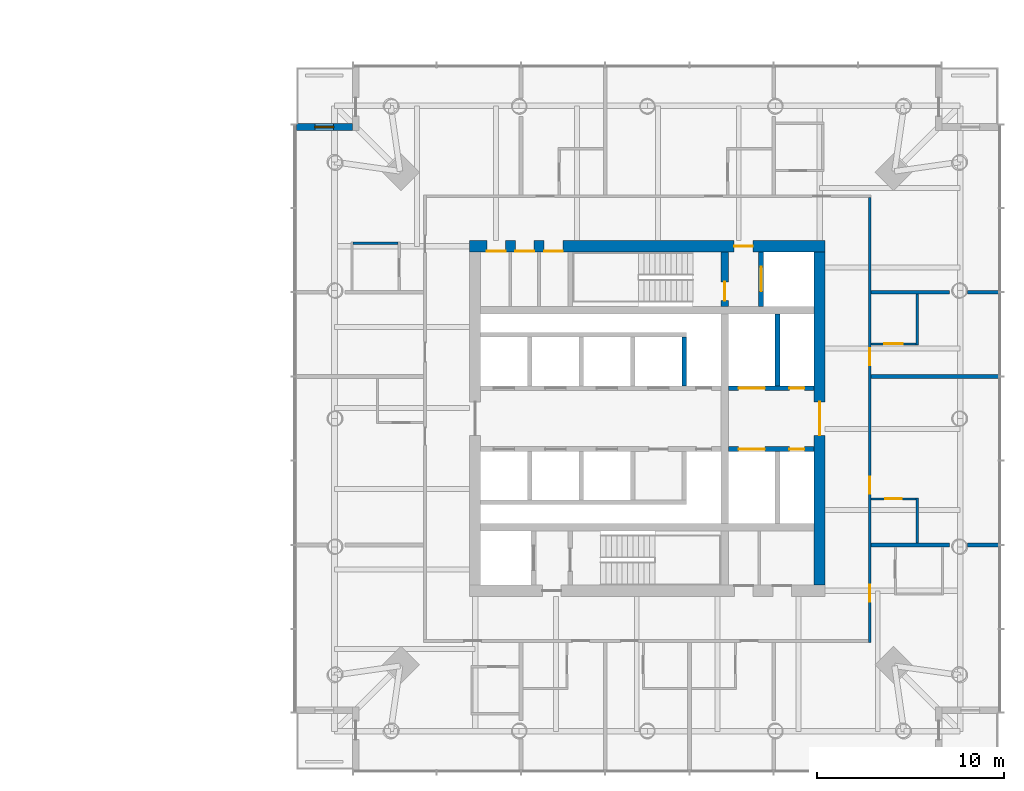
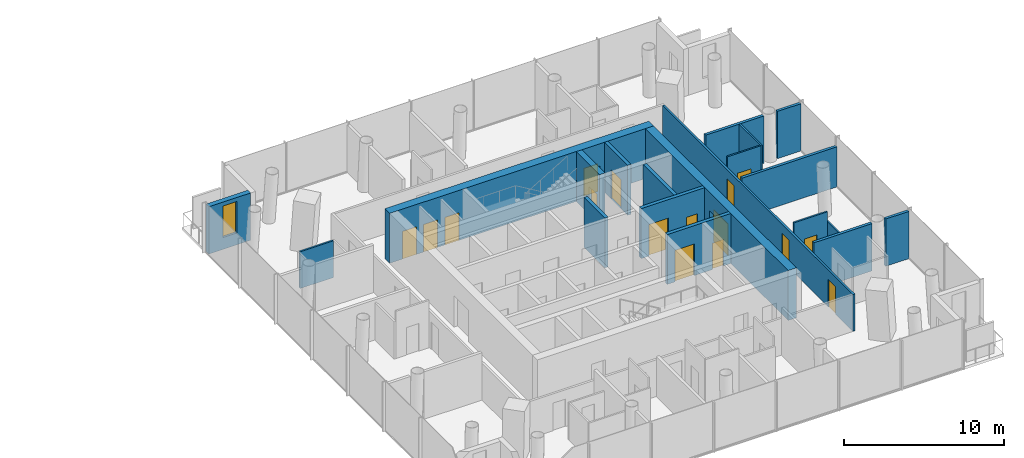
# One storey, part 14 of 18: 20 walls, 16 doors, 1 window, 17 openings.
"""IFC4 building model written with IfcOpenShell, lengths in metres."""

from ifc_helpers import new_model, si_unit, direction, frame, frame_2d, origin, place, context, subcontext, project, spatial, rectangle, extrude, material, layer, layer_set, type_object, element, fill, save


model = new_model("IFC4")

# Units and contexts
model_context = context("Model", 3, precision=1e-05, world=origin(), true_north=direction((0.0, 1.0)))
body_context = subcontext(model_context, "Body", "Model", "MODEL_VIEW")
ifc_project = project(units=[si_unit("LENGTHUNIT", "METRE"), si_unit("AREAUNIT", "SQUARE_METRE"), si_unit("VOLUMEUNIT", "CUBIC_METRE"), si_unit("PLANEANGLEUNIT", "RADIAN"), si_unit("MASSUNIT", "GRAM", prefix="KILO")], contexts=[model_context])

# Site, building, storey
site_placement = place(None, origin())
site = spatial("IfcSite", under=ifc_project, at=site_placement, CompositionType="ELEMENT")
building_placement = place(site_placement, origin())
building = spatial("IfcBuilding", under=site, at=building_placement, Name="Ostroluk Exchange", CompositionType="ELEMENT")
storey_placement = place(building_placement, frame((0.0, 0.0, 74.199951171875)))
storey = spatial("IfcBuildingStorey", under=building, at=storey_placement, Name="L18", CompositionType="ELEMENT", Elevation=74.199951171875)

# Wall, opening, door
ifc_material_1 = material(Name="Concrete C50/60", Category="concrete")
ifc_layer_1 = layer(ifc_material_1, 0.39990234375)
ifc_layer_set_1 = layer_set([ifc_layer_1], Name="Core cross wall 400 C50/60")
wall_type_1 = type_object("IfcWallType", Name="Core cross wall 400 C50/60", PredefinedType="SHEAR", material=ifc_layer_set_1)
wall_1_placement = place(storey_placement, frame((121.1298828125, 52.0, 0.0), z_axis=(0.0, 0.0, 1.0), x_axis=(0.0, 1.0, 0.0)))
wall_1 = element("IfcWall", 1, at=wall_1_placement, inside=storey, type_object=wall_type_1, Name="T2 core wall YE3", PredefinedType="SHEAR", context=body_context, shape_type="SweptSolid", body=[
    extrude(rectangle(XDim=2.89990234375, YDim=0.39990234375, at=frame_2d((1.449951171875, 0.0))), origin(), (0.0, 0.0, 1.0), 3.800048828125),
])
opening_1_placement = place(wall_1_placement, frame((0.300048828125, 0.0, 0.0)))
opening_1 = element("IfcOpeningElement", 2, at=opening_1_placement, cuts=wall_1, Name="Opening FD60", PredefinedType="OPENING", context=body_context, shape_type="SweptSolid", body=[
    extrude(rectangle(XDim=1.0, YDim=2.10009765625, at=frame_2d((0.5, 1.050048828125))), frame((0.0, 0.2099609375, 0.0), z_axis=(0.0, -1.0, 0.0), x_axis=(1.0, 0.0, 0.0)), (0.0, 0.0, 1.0), 0.419921875),
])
ifc_material_2 = material(Name="Steel", Category="steel")
door_type_1 = type_object("IfcDoorType", Name="Fire door EI 60 1000 x 2100", OperationType="SINGLE_SWING_LEFT", PredefinedType="DOOR", material=ifc_material_2)
door_1_placement = place(opening_1_placement, origin())
door_1 = element("IfcDoor", 3, at=door_1_placement, inside=storey, type_object=door_type_1, Name="Stair T2-S2 door", OperationType="SINGLE_SWING_LEFT", OverallHeight=2.10009765625, OverallWidth=1.0, PredefinedType="DOOR", context=body_context, shape_type="SweptSolid", body=[
    extrude(rectangle(XDim=1.0, YDim=2.10009765625, at=frame_2d((0.5, 1.050048828125))), frame((0.0, 0.02490234375, 0.0), z_axis=(0.0, -1.0, 0.0), x_axis=(1.0, 0.0, 0.0)), (0.0, 0.0, 1.0), 0.050048828125),
])
fill(opening_1, door_1)

ifc_material_3 = material(Name="Concrete C40/50", Category="concrete")
ifc_layer_2 = layer(ifc_material_3, 0.25)
ifc_layer_set_2 = layer_set([ifc_layer_2], Name="Core shaft wall 250")
wall_type_2 = type_object("IfcWallType", Name="Core shaft wall 250", PredefinedType="SHEAR", material=ifc_layer_set_2)
wall_2_placement = place(storey_placement, frame((123.074951171875, 52.0, 0.0), z_axis=(0.0, 0.0, 1.0), x_axis=(0.0, 1.0, 0.0)))
wall_2 = element("IfcWall", 4, at=wall_2_placement, inside=storey, type_object=wall_type_2, Name="Firefighting lift shaft wall", PredefinedType="SHEAR", context=body_context, shape_type="SweptSolid", body=[
    extrude(rectangle(XDim=2.89990234375, YDim=0.25, at=frame_2d((1.449951171875, 0.0))), origin(), (0.0, 0.0, 1.0), 3.800048828125),
])
opening_2_placement = place(wall_2_placement, frame((0.800048828125, 0.0, 0.0)))
opening_2 = element("IfcOpeningElement", 5, at=opening_2_placement, cuts=wall_2, Name="Opening LD2", PredefinedType="OPENING", context=body_context, shape_type="SweptSolid", body=[
    extrude(rectangle(XDim=1.300048828125, YDim=2.199951171875, at=frame_2d((0.64990234375, 1.10009765625))), frame((0.0, 0.135009765625, 0.0), z_axis=(0.0, -1.0, 0.0), x_axis=(1.0, 0.0, 0.0)), (0.0, 0.0, 1.0), 0.27001953125),
])
ifc_material_4 = material(Name="Stainless steel", Category="steel")
door_type_2 = type_object("IfcDoorType", Name="Lift landing door E 60 1300 x 2200", OperationType="DOUBLE_DOOR_SLIDING", PredefinedType="DOOR", material=ifc_material_4)
door_2_placement = place(opening_2_placement, origin())
door_2 = element("IfcDoor", 6, at=door_2_placement, inside=storey, type_object=door_type_2, Name="Lift HF2 landing door", OperationType="DOUBLE_DOOR_SLIDING", OverallHeight=2.199951171875, OverallWidth=1.300048828125, PredefinedType="DOOR", context=body_context, shape_type="SweptSolid", body=[
    extrude(rectangle(XDim=1.300048828125, YDim=2.199951171875, at=frame_2d((0.64990234375, 1.10009765625))), frame((0.0, 0.02490234375, 0.0), z_axis=(0.0, -1.0, 0.0), x_axis=(1.0, 0.0, 0.0)), (0.0, 0.0, 1.0), 0.050048828125),
])
fill(opening_2, door_2)

# Walls
wall_3_placement = place(storey_placement, frame((118.97509765625, 47.75, 0.0), z_axis=(0.0, 0.0, 1.0), x_axis=(0.0, 1.0, 0.0)))
element("IfcWall", 7, at=wall_3_placement, inside=storey, type_object=wall_type_2, Name="Lift shaft wall", PredefinedType="SHEAR", context=body_context, shape_type="SweptSolid", body=[
    extrude(rectangle(XDim=2.60009765625, YDim=0.25, at=frame_2d((1.300048828125, 0.0))), origin(), (0.0, 0.0, 1.0), 3.800048828125),
])
wall_4_placement = place(storey_placement, frame((123.955078125, 47.75, 0.0), z_axis=(0.0, 0.0, 1.0), x_axis=(0.0, 1.0, 0.0)))
element("IfcWall", 8, at=wall_4_placement, inside=storey, type_object=wall_type_2, Name="Lift shaft wall", PredefinedType="SHEAR", context=body_context, shape_type="SweptSolid", body=[
    extrude(rectangle(XDim=3.85009765625, YDim=0.25, at=frame_2d((1.925048828125, 0.0))), origin(), (0.0, 0.0, 1.0), 3.800048828125),
])

# Wall, openings, doors
wall_5_placement = place(storey_placement, frame((121.330078125, 47.625, 0.0), z_axis=(0.0, 0.0, 1.0), x_axis=(1.0, 0.0, 0.0)))
wall_5 = element("IfcWall", 9, at=wall_5_placement, inside=storey, type_object=wall_type_2, Name="Lift shaft front wall", PredefinedType="SHEAR", context=body_context, shape_type="SweptSolid", body=[
    extrude(rectangle(XDim=4.56982421875, YDim=0.25, at=frame_2d((2.284912109375, 0.0))), origin(), (0.0, 0.0, 1.0), 3.800048828125),
])
opening_3_placement = place(wall_5_placement, frame((0.550048828125, 0.0, 0.0)))
opening_3 = element("IfcOpeningElement", 10, at=opening_3_placement, cuts=wall_5, Name="Opening LD3", PredefinedType="OPENING", context=body_context, shape_type="SweptSolid", body=[
    extrude(rectangle(XDim=1.39990234375, YDim=2.39990234375, at=frame_2d((0.699951171875, 1.199951171875))), frame((0.0, 0.135009765625, 0.0), z_axis=(0.0, -1.0, 0.0), x_axis=(1.0, 0.0, 0.0)), (0.0, 0.0, 1.0), 0.27001953125),
])
opening_4_placement = place(wall_5_placement, frame((3.260009765625, 0.0, 0.0)))
opening_4 = element("IfcOpeningElement", 11, at=opening_4_placement, cuts=wall_5, Name="Opening RD60", PredefinedType="OPENING", context=body_context, shape_type="SweptSolid", body=[
    extrude(rectangle(XDim=0.800048828125, YDim=2.0, at=frame_2d((0.39990234375, 1.0))), frame((0.0, 0.135009765625, 0.0), z_axis=(0.0, -1.0, 0.0), x_axis=(1.0, 0.0, 0.0)), (0.0, 0.0, 1.0), 0.27001953125),
])
ifc_material_5 = material(Name="Stainless steel", Category="steel")
door_type_3 = type_object("IfcDoorType", Name="Goods lift landing door E 60 1400 x 2400", OperationType="DOUBLE_DOOR_SLIDING", PredefinedType="DOOR", material=ifc_material_5)
door_3_placement = place(opening_3_placement, origin())
door_3 = element("IfcDoor", 12, at=door_3_placement, inside=storey, type_object=door_type_3, Name="Lift HS1 landing door", OperationType="DOUBLE_DOOR_SLIDING", OverallHeight=2.39990234375, OverallWidth=1.39990234375, PredefinedType="DOOR", context=body_context, shape_type="SweptSolid", body=[
    extrude(rectangle(XDim=1.39990234375, YDim=2.39990234375, at=frame_2d((0.699951171875, 1.199951171875))), frame((0.0, 0.02490234375, 0.0), z_axis=(0.0, -1.0, 0.0), x_axis=(1.0, 0.0, 0.0)), (0.0, 0.0, 1.0), 0.050048828125),
])
fill(opening_3, door_3)
ifc_material_6 = material(Name="Steel", Category="steel")
door_type_4 = type_object("IfcDoorType", Name="Riser access door EI 60 800 x 2000", OperationType="SINGLE_SWING_LEFT", PredefinedType="DOOR", material=ifc_material_6)
door_4_placement = place(opening_4_placement, origin())
door_4 = element("IfcDoor", 13, at=door_4_placement, inside=storey, type_object=door_type_4, Name="Riser access door", OperationType="SINGLE_SWING_RIGHT", OverallHeight=2.0, OverallWidth=0.800048828125, PredefinedType="DOOR", context=body_context, shape_type="SweptSolid", body=[
    extrude(rectangle(XDim=0.800048828125, YDim=2.0, at=frame_2d((0.39990234375, 1.0))), frame((0.0, 0.02490234375, 0.0), z_axis=(0.0, -1.0, 0.0), x_axis=(1.0, 0.0, 0.0)), (0.0, 0.0, 1.0), 0.050048828125),
])
fill(opening_4, door_4)

wall_6_placement = place(storey_placement, frame((121.330078125, 44.375, 0.0), z_axis=(0.0, 0.0, 1.0), x_axis=(1.0, 0.0, 0.0)))
wall_6 = element("IfcWall", 14, at=wall_6_placement, inside=storey, type_object=wall_type_2, Name="Lift shaft front wall", PredefinedType="SHEAR", context=body_context, shape_type="SweptSolid", body=[
    extrude(rectangle(XDim=4.56982421875, YDim=0.25, at=frame_2d((2.284912109375, 0.0))), origin(), (0.0, 0.0, 1.0), 3.800048828125),
])
opening_5_placement = place(wall_6_placement, frame((0.550048828125, 0.0, 0.0)))
opening_5 = element("IfcOpeningElement", 15, at=opening_5_placement, cuts=wall_6, Name="Opening LD3", PredefinedType="OPENING", context=body_context, shape_type="SweptSolid", body=[
    extrude(rectangle(XDim=1.39990234375, YDim=2.39990234375, at=frame_2d((0.699951171875, 1.199951171875))), frame((0.0, 0.135009765625, 0.0), z_axis=(0.0, -1.0, 0.0), x_axis=(1.0, 0.0, 0.0)), (0.0, 0.0, 1.0), 0.27001953125),
])
opening_6_placement = place(wall_6_placement, frame((3.260009765625, 0.0, 0.0)))
opening_6 = element("IfcOpeningElement", 16, at=opening_6_placement, cuts=wall_6, Name="Opening RD60", PredefinedType="OPENING", context=body_context, shape_type="SweptSolid", body=[
    extrude(rectangle(XDim=0.800048828125, YDim=2.0, at=frame_2d((0.39990234375, 1.0))), frame((0.0, 0.135009765625, 0.0), z_axis=(0.0, -1.0, 0.0), x_axis=(1.0, 0.0, 0.0)), (0.0, 0.0, 1.0), 0.27001953125),
])
door_5_placement = place(opening_5_placement, origin())
door_5 = element("IfcDoor", 17, at=door_5_placement, inside=storey, type_object=door_type_3, Name="Lift HS2 landing door", OperationType="DOUBLE_DOOR_SLIDING", OverallHeight=2.39990234375, OverallWidth=1.39990234375, PredefinedType="DOOR", context=body_context, shape_type="SweptSolid", body=[
    extrude(rectangle(XDim=1.39990234375, YDim=2.39990234375, at=frame_2d((0.699951171875, 1.199951171875))), frame((0.0, 0.02490234375, 0.0), z_axis=(0.0, -1.0, 0.0), x_axis=(1.0, 0.0, 0.0)), (0.0, 0.0, 1.0), 0.050048828125),
])
fill(opening_5, door_5)
door_6_placement = place(opening_6_placement, origin())
door_6 = element("IfcDoor", 18, at=door_6_placement, inside=storey, type_object=door_type_4, Name="Riser access door", OperationType="SINGLE_SWING_RIGHT", OverallHeight=2.0, OverallWidth=0.800048828125, PredefinedType="DOOR", context=body_context, shape_type="SweptSolid", body=[
    extrude(rectangle(XDim=0.800048828125, YDim=2.0, at=frame_2d((0.39990234375, 1.0))), frame((0.0, 0.02490234375, 0.0), z_axis=(0.0, -1.0, 0.0), x_axis=(1.0, 0.0, 0.0)), (0.0, 0.0, 1.0), 0.050048828125),
])
fill(opening_6, door_6)

ifc_material_7 = material(Name="Concrete C50/60", Category="concrete")
ifc_layer_3 = layer(ifc_material_7, 0.60009765625)
ifc_layer_set_3 = layer_set([ifc_layer_3], Name="Core wall 600 C50/60")
wall_type_3 = type_object("IfcWallType", Name="Core wall 600 C50/60", PredefinedType="SHEAR", material=ifc_layer_set_3)
wall_7_placement = place(storey_placement, frame((107.5, 55.199951171875, 0.0), z_axis=(0.0, 0.0, 1.0), x_axis=(1.0, 0.0, 0.0)))
wall_7 = element("IfcWall", 19, at=wall_7_placement, inside=storey, type_object=wall_type_3, Name="T2 core wall N", PredefinedType="SHEAR", context=body_context, shape_type="SweptSolid", body=[
    extrude(rectangle(XDim=19.0, YDim=0.60009765625, at=frame_2d((9.5, 0.0))), origin(), (0.0, 0.0, 1.0), 3.800048828125),
])
opening_7_placement = place(wall_7_placement, frame((14.139892578125, 0.0, 0.0)))
opening_7 = element("IfcOpeningElement", 20, at=opening_7_placement, cuts=wall_7, Name="Opening FD60", PredefinedType="OPENING", context=body_context, shape_type="SweptSolid", body=[
    extrude(rectangle(XDim=1.0, YDim=2.10009765625, at=frame_2d((0.5, 1.050048828125))), frame((0.0, 0.31005859375, 0.0), z_axis=(0.0, -1.0, 0.0), x_axis=(1.0, 0.0, 0.0)), (0.0, 0.0, 1.0), 0.6201171875),
])
opening_8_placement = place(wall_7_placement, frame((0.930908203125, 0.0, 0.0)))
opening_8 = element("IfcOpeningElement", 21, at=opening_8_placement, cuts=wall_7, Name="Opening FD60", PredefinedType="OPENING", context=body_context, shape_type="SweptSolid", body=[
    extrude(rectangle(XDim=1.0, YDim=2.10009765625, at=frame_2d((0.5, 1.050048828125))), frame((0.0, 0.31005859375, 0.0), z_axis=(0.0, -1.0, 0.0), x_axis=(1.0, 0.0, 0.0)), (0.0, 0.0, 1.0), 0.6201171875),
])
opening_9_placement = place(wall_7_placement, frame((2.4482421875, 0.0, 0.0)))
opening_9 = element("IfcOpeningElement", 22, at=opening_9_placement, cuts=wall_7, Name="Opening FD60", PredefinedType="OPENING", context=body_context, shape_type="SweptSolid", body=[
    extrude(rectangle(XDim=1.0, YDim=2.10009765625, at=frame_2d((0.5, 1.050048828125))), frame((0.0, 0.31005859375, 0.0), z_axis=(0.0, -1.0, 0.0), x_axis=(1.0, 0.0, 0.0)), (0.0, 0.0, 1.0), 0.6201171875),
])
opening_10_placement = place(wall_7_placement, frame((3.982666015625, 0.0, 0.0)))
opening_10 = element("IfcOpeningElement", 23, at=opening_10_placement, cuts=wall_7, Name="Opening FD60", PredefinedType="OPENING", context=body_context, shape_type="SweptSolid", body=[
    extrude(rectangle(XDim=1.0, YDim=2.10009765625, at=frame_2d((0.5, 1.050048828125))), frame((0.0, 0.31005859375, 0.0), z_axis=(0.0, -1.0, 0.0), x_axis=(1.0, 0.0, 0.0)), (0.0, 0.0, 1.0), 0.6201171875),
])
door_7_placement = place(opening_7_placement, origin())
door_7 = element("IfcDoor", 24, at=door_7_placement, inside=storey, type_object=door_type_1, Name="Firefighting lobby door", OperationType="SINGLE_SWING_RIGHT", OverallHeight=2.10009765625, OverallWidth=1.0, PredefinedType="DOOR", context=body_context, shape_type="SweptSolid", body=[
    extrude(rectangle(XDim=1.0, YDim=2.10009765625, at=frame_2d((0.5, 1.050048828125))), frame((0.0, 0.02490234375, 0.0), z_axis=(0.0, -1.0, 0.0), x_axis=(1.0, 0.0, 0.0)), (0.0, 0.0, 1.0), 0.050048828125),
])
fill(opening_7, door_7)
door_8_placement = place(opening_8_placement, origin())
door_8 = element("IfcDoor", 25, at=door_8_placement, inside=storey, type_object=door_type_1, Name="Linen store door", OperationType="SINGLE_SWING_LEFT", OverallHeight=2.10009765625, OverallWidth=1.0, PredefinedType="DOOR", context=body_context, shape_type="SweptSolid", body=[
    extrude(rectangle(XDim=1.0, YDim=2.10009765625, at=frame_2d((0.5, 1.050048828125))), frame((0.0, -0.23974609375, 0.0), z_axis=(0.0, -1.0, 0.0), x_axis=(1.0, 0.0, 0.0)), (0.0, 0.0, 1.0), 0.050048828125),
])
fill(opening_8, door_8)
door_9_placement = place(opening_9_placement, origin())
door_9 = element("IfcDoor", 26, at=door_9_placement, inside=storey, type_object=door_type_1, Name="Housekeeping store door", OperationType="SINGLE_SWING_LEFT", OverallHeight=2.10009765625, OverallWidth=1.0, PredefinedType="DOOR", context=body_context, shape_type="SweptSolid", body=[
    extrude(rectangle(XDim=1.0, YDim=2.10009765625, at=frame_2d((0.5, 1.050048828125))), frame((0.0, -0.23974609375, 0.0), z_axis=(0.0, -1.0, 0.0), x_axis=(1.0, 0.0, 0.0)), (0.0, 0.0, 1.0), 0.050048828125),
])
fill(opening_9, door_9)
door_10_placement = place(opening_10_placement, origin())
door_10 = element("IfcDoor", 27, at=door_10_placement, inside=storey, type_object=door_type_1, Name="Luggage store door", OperationType="SINGLE_SWING_LEFT", OverallHeight=2.10009765625, OverallWidth=1.0, PredefinedType="DOOR", context=body_context, shape_type="SweptSolid", body=[
    extrude(rectangle(XDim=1.0, YDim=2.10009765625, at=frame_2d((0.5, 1.050048828125))), frame((0.0, -0.23974609375, 0.0), z_axis=(0.0, -1.0, 0.0), x_axis=(1.0, 0.0, 0.0)), (0.0, 0.0, 1.0), 0.050048828125),
])
fill(opening_10, door_10)

# Wall, opening, door
wall_8_placement = place(storey_placement, frame((126.199951171875, 37.10009765625, 0.0), z_axis=(0.0, 0.0, 1.0), x_axis=(0.0, 1.0, 0.0)))
wall_8 = element("IfcWall", 28, at=wall_8_placement, inside=storey, type_object=wall_type_3, Name="T2 core wall E", PredefinedType="SHEAR", context=body_context, shape_type="SweptSolid", body=[
    extrude(rectangle(XDim=17.7998046875, YDim=0.60009765625, at=frame_2d((8.89990234375, 0.0))), origin(), (0.0, 0.0, 1.0), 3.800048828125),
])
opening_11_placement = place(wall_8_placement, frame((8.0, 0.0, 0.0)))
opening_11 = element("IfcOpeningElement", 29, at=opening_11_placement, cuts=wall_8, Name="Opening FD30D", PredefinedType="OPENING", context=body_context, shape_type="SweptSolid", body=[
    extrude(rectangle(XDim=1.800048828125, YDim=2.39990234375, at=frame_2d((0.89990234375, 1.199951171875))), frame((0.0, 0.31005859375, 0.0), z_axis=(0.0, -1.0, 0.0), x_axis=(1.0, 0.0, 0.0)), (0.0, 0.0, 1.0), 0.6201171875),
])
ifc_material_8 = material(Name="Timber", Category="wood")
door_type_5 = type_object("IfcDoorType", Name="Lobby double door EI 30 1800 x 2400", OperationType="DOUBLE_DOOR_SINGLE_SWING", PredefinedType="DOOR", material=ifc_material_8)
door_11_placement = place(opening_11_placement, origin())
door_11 = element("IfcDoor", 30, at=door_11_placement, inside=storey, type_object=door_type_5, Name="Lift lobby doors", OperationType="DOUBLE_DOOR_SINGLE_SWING", OverallHeight=2.39990234375, OverallWidth=1.800048828125, PredefinedType="DOOR", context=body_context, shape_type="SweptSolid", body=[
    extrude(rectangle(XDim=1.800048828125, YDim=2.39990234375, at=frame_2d((0.89990234375, 1.199951171875))), frame((0.0, 0.02490234375, 0.0), z_axis=(0.0, -1.0, 0.0), x_axis=(1.0, 0.0, 0.0)), (0.0, 0.0, 1.0), 0.050048828125),
])
fill(opening_11, door_11)

# Wall, opening, window
ifc_material_9 = material(Name="Limestone", Category="masonry")
ifc_layer_4 = layer(ifc_material_9, 0.35009765625)
ifc_layer_set_4 = layer_set([ifc_layer_4], Name="Limestone facade wall 350")
wall_type_4 = type_object("IfcWallType", Name="Limestone facade wall 350", PredefinedType="SOLIDWALL", material=ifc_layer_set_4)
wall_9_placement = place(storey_placement, frame((101.25, 61.574951171875, 0.0), z_axis=(0.0, 0.0, 1.0), x_axis=(-1.0, 0.0, 0.0)))
wall_9 = element("IfcWall", 31, at=wall_9_placement, inside=storey, type_object=wall_type_4, Name="Hotel tower NW corner wall L18 b", PredefinedType="SOLIDWALL", context=body_context, shape_type="SweptSolid", body=[
    extrude(rectangle(XDim=3.0, YDim=0.35009765625, at=frame_2d((1.5, 0.0))), origin(), (0.0, 0.0, 1.0), 3.60009765625),
])
opening_12_placement = place(wall_9_placement, frame((1.0, 0.0, 0.89990234375)))
opening_12 = element("IfcOpeningElement", 32, at=opening_12_placement, cuts=wall_9, Name="Opening WN-L3", PredefinedType="OPENING", context=body_context, shape_type="SweptSolid", body=[
    extrude(rectangle(XDim=1.0, YDim=2.39990234375, at=frame_2d((0.5, 1.199951171875))), frame((0.0, 0.18505859375, 0.0), z_axis=(0.0, -1.0, 0.0), x_axis=(1.0, 0.0, 0.0)), (0.0, 0.0, 1.0), 0.3701171875),
])
ifc_material_10 = material(Name="Laminated clear glass", Category="glass")
window_type = type_object("IfcWindowType", Name="Hotel lancet window 1000 x 2400", PartitioningType="SINGLE_PANEL", PredefinedType="WINDOW", material=ifc_material_10)
window_placement = place(opening_12_placement, origin())
window = element("IfcWindow", 33, at=window_placement, inside=storey, type_object=window_type, Name="Hotel tower NW lancet window L18", OverallHeight=2.39990234375, OverallWidth=1.0, PartitioningType="SINGLE_PANEL", PredefinedType="WINDOW", context=body_context, shape_type="SweptSolid", body=[
    extrude(rectangle(XDim=1.0, YDim=2.39990234375, at=frame_2d((0.5, 1.199951171875))), frame((0.0, 0.030029296875, 0.0), z_axis=(0.0, -1.0, 0.0), x_axis=(1.0, 0.0, 0.0)), (0.0, 0.0, 1.0), 0.06005859375),
])
fill(opening_12, window)

# Wall
ifc_material_11 = material(Name="Gypsum plasterboard partition, moisture resistant", Category="gypsum")
ifc_layer_5 = layer(ifc_material_11, 0.1201171875)
ifc_layer_set_5 = layer_set([ifc_layer_5], Name="Plasterboard en-suite wall 120")
wall_type_5 = type_object("IfcWallType", Name="Plasterboard en-suite wall 120", PredefinedType="PARTITIONING", material=ifc_layer_set_5)
wall_10_placement = place(storey_placement, frame((131.409912109375, 39.35009765625, 0.0), z_axis=(0.0, 0.0, 1.0), x_axis=(0.0, 1.0, 0.0)))
element("IfcWall", 34, at=wall_10_placement, inside=storey, type_object=wall_type_5, Name="En-suite wall", PredefinedType="PARTITIONING", context=body_context, shape_type="SweptSolid", body=[
    extrude(rectangle(XDim=2.419921875, YDim=0.1201171875, at=frame_2d((1.2099609375, 0.0))), origin(), (0.0, 0.0, 1.0), 2.84716796875),
])

# Wall, opening, door
wall_11_placement = place(storey_placement, frame((128.949951171875, 41.7099609375, 0.0), z_axis=(0.0, 0.0, 1.0), x_axis=(1.0, 0.0, 0.0)))
wall_11 = element("IfcWall", 35, at=wall_11_placement, inside=storey, type_object=wall_type_5, Name="En-suite wall", PredefinedType="PARTITIONING", context=body_context, shape_type="SweptSolid", body=[
    extrude(rectangle(XDim=2.400146484375, YDim=0.1201171875, at=frame_2d((1.2001953125, 0.0))), origin(), (0.0, 0.0, 1.0), 3.60009765625),
])
opening_13_placement = place(wall_11_placement, frame((0.75, 0.0, 0.0)))
opening_13 = element("IfcOpeningElement", 36, at=opening_13_placement, cuts=wall_11, Name="Opening D-02", PredefinedType="OPENING", context=body_context, shape_type="SweptSolid", body=[
    extrude(rectangle(XDim=0.89990234375, YDim=2.10009765625, at=frame_2d((0.449951171875, 1.050048828125))), frame((0.0, 0.070068359375, 0.0), z_axis=(0.0, -1.0, 0.0), x_axis=(1.0, 0.0, 0.0)), (0.0, 0.0, 1.0), 0.14013671875),
])
ifc_material_12 = material(Name="Timber", Category="wood")
door_type_6 = type_object("IfcDoorType", Name="En-suite door 900 x 2100", OperationType="SINGLE_SWING_LEFT", PredefinedType="DOOR", material=ifc_material_12)
door_12_placement = place(opening_13_placement, origin())
door_12 = element("IfcDoor", 37, at=door_12_placement, inside=storey, type_object=door_type_6, Name="En-suite door 1802", OperationType="SINGLE_SWING_LEFT", OverallHeight=2.10009765625, OverallWidth=0.89990234375, PredefinedType="DOOR", context=body_context, shape_type="SweptSolid", body=[
    extrude(rectangle(XDim=0.89990234375, YDim=2.10009765625, at=frame_2d((0.449951171875, 1.050048828125))), frame((0.0, 0.02490234375, 0.0), z_axis=(0.0, -1.0, 0.0), x_axis=(1.0, 0.0, 0.0)), (0.0, 0.0, 1.0), 0.050048828125),
])
fill(opening_13, door_12)

# Wall
wall_12_placement = place(storey_placement, frame((131.409912109375, 49.929931640625, 0.0), z_axis=(0.0, 0.0, 1.0), x_axis=(0.0, 1.0, 0.0)))
element("IfcWall", 38, at=wall_12_placement, inside=storey, type_object=wall_type_5, Name="En-suite wall", PredefinedType="PARTITIONING", context=body_context, shape_type="SweptSolid", body=[
    extrude(rectangle(XDim=2.719970703125, YDim=0.1201171875, at=frame_2d((1.35986328125, 0.0))), origin(), (0.0, 0.0, 1.0), 3.60009765625),
])

# Wall, opening, door
wall_13_placement = place(storey_placement, frame((128.949951171875, 49.989990234375, 0.0), z_axis=(0.0, 0.0, 1.0), x_axis=(1.0, 0.0, 0.0)))
wall_13 = element("IfcWall", 39, at=wall_13_placement, inside=storey, type_object=wall_type_5, Name="En-suite wall", PredefinedType="PARTITIONING", context=body_context, shape_type="SweptSolid", body=[
    extrude(rectangle(XDim=2.400146484375, YDim=0.1201171875, at=frame_2d((1.2001953125, 0.0))), origin(), (0.0, 0.0, 1.0), 3.60009765625),
])
opening_14_placement = place(wall_13_placement, frame((0.699951171875, 0.0, 0.0)))
opening_14 = element("IfcOpeningElement", 40, at=opening_14_placement, cuts=wall_13, Name="Opening D-03", PredefinedType="OPENING", context=body_context, shape_type="SweptSolid", body=[
    extrude(rectangle(XDim=1.0, YDim=2.10009765625, at=frame_2d((0.5, 1.050048828125))), frame((0.0, 0.070068359375, 0.0), z_axis=(0.0, -1.0, 0.0), x_axis=(1.0, 0.0, 0.0)), (0.0, 0.0, 1.0), 0.14013671875),
])
ifc_material_13 = material(Name="Timber", Category="wood")
door_type_7 = type_object("IfcDoorType", Name="Internal door 1000 x 2100", OperationType="SINGLE_SWING_LEFT", PredefinedType="DOOR", material=ifc_material_13)
door_13_placement = place(opening_14_placement, origin())
door_13 = element("IfcDoor", 41, at=door_13_placement, inside=storey, type_object=door_type_7, Name="En-suite door 1803", OperationType="SINGLE_SWING_LEFT", OverallHeight=2.10009765625, OverallWidth=1.0, PredefinedType="DOOR", context=body_context, shape_type="SweptSolid", body=[
    extrude(rectangle(XDim=1.0, YDim=2.10009765625, at=frame_2d((0.5, 1.050048828125))), frame((0.0, 0.02490234375, 0.0), z_axis=(0.0, -1.0, 0.0), x_axis=(1.0, 0.0, 0.0)), (0.0, 0.0, 1.0), 0.050048828125),
])
fill(opening_14, door_13)

# Wall
wall_14_placement = place(storey_placement, frame((103.68994140625, 55.3701171875, 0.0), z_axis=(0.0, 0.0, 1.0), x_axis=(-1.0, 0.0, 0.0)))
element("IfcWall", 42, at=wall_14_placement, inside=storey, type_object=wall_type_5, Name="En-suite wall", PredefinedType="PARTITIONING", context=body_context, shape_type="SweptSolid", body=[
    extrude(rectangle(XDim=2.39990234375, YDim=0.1201171875, at=frame_2d((1.199951171875, 0.0))), origin(), (0.0, 0.0, 1.0), 2.800048828125),
])

# Wall, openings, doors
ifc_material_14 = material(Name="Gypsum plasterboard partition", Category="gypsum")
ifc_layer_6 = layer(ifc_material_14, 0.14990234375)
ifc_layer_set_6 = layer_set([ifc_layer_6], Name="Plasterboard partition 150")
wall_type_6 = type_object("IfcWallType", Name="Plasterboard partition 150", PredefinedType="PARTITIONING", material=ifc_layer_set_6)
wall_15_placement = place(storey_placement, frame((128.875, 34.050048828125, 0.0), z_axis=(0.0, 0.0, 1.0), x_axis=(0.0, 1.0, 0.0)))
wall_15 = element("IfcWall", 43, at=wall_15_placement, inside=storey, type_object=wall_type_6, Name="Corridor wall", PredefinedType="PARTITIONING", context=body_context, shape_type="SweptSolid", body=[
    extrude(rectangle(XDim=23.75, YDim=0.14990234375, at=frame_2d((11.875, 0.0))), origin(), (0.0, 0.0, 1.0), 2.800048828125),
])
opening_15_placement = place(wall_15_placement, frame((2.175048828125, 0.0, 0.0)))
opening_15 = element("IfcOpeningElement", 44, at=opening_15_placement, cuts=wall_15, Name="Opening D-01", PredefinedType="OPENING", context=body_context, shape_type="SweptSolid", body=[
    extrude(rectangle(XDim=0.89990234375, YDim=2.10009765625, at=frame_2d((0.449951171875, 1.050048828125))), frame((0.0, 0.0849609375, 0.0), z_axis=(0.0, -1.0, 0.0), x_axis=(1.0, 0.0, 0.0)), (0.0, 0.0, 1.0), 0.169921875),
])
opening_16_placement = place(wall_15_placement, frame((7.949951171875, 0.0, 0.0)))
opening_16 = element("IfcOpeningElement", 45, at=opening_16_placement, cuts=wall_15, Name="Opening D-01", PredefinedType="OPENING", context=body_context, shape_type="SweptSolid", body=[
    extrude(rectangle(XDim=0.89990234375, YDim=2.10009765625, at=frame_2d((0.449951171875, 1.050048828125))), frame((0.0, 0.0849609375, 0.0), z_axis=(0.0, -1.0, 0.0), x_axis=(1.0, 0.0, 0.0)), (0.0, 0.0, 1.0), 0.169921875),
])
opening_17_placement = place(wall_15_placement, frame((14.800048828125, 0.0, 0.0)))
opening_17 = element("IfcOpeningElement", 46, at=opening_17_placement, cuts=wall_15, Name="Opening D-01", PredefinedType="OPENING", context=body_context, shape_type="SweptSolid", body=[
    extrude(rectangle(XDim=0.89990234375, YDim=2.10009765625, at=frame_2d((0.449951171875, 1.050048828125))), frame((0.0, 0.0849609375, 0.0), z_axis=(0.0, -1.0, 0.0), x_axis=(1.0, 0.0, 0.0)), (0.0, 0.0, 1.0), 0.169921875),
])
ifc_material_15 = material(Name="Timber", Category="wood")
door_type_8 = type_object("IfcDoorType", Name="Hotel room door EI 30 Sa 900 x 2100", OperationType="SINGLE_SWING_LEFT", PredefinedType="DOOR", material=ifc_material_15)
door_14_placement = place(opening_15_placement, origin())
door_14 = element("IfcDoor", 47, at=door_14_placement, inside=storey, type_object=door_type_8, Name="Room door 1801", OperationType="SINGLE_SWING_LEFT", OverallHeight=2.10009765625, OverallWidth=0.89990234375, PredefinedType="DOOR", context=body_context, shape_type="SweptSolid", body=[
    extrude(rectangle(XDim=0.89990234375, YDim=2.10009765625, at=frame_2d((0.449951171875, 1.050048828125))), frame((0.0, 0.02490234375, 0.0), z_axis=(0.0, -1.0, 0.0), x_axis=(1.0, 0.0, 0.0)), (0.0, 0.0, 1.0), 0.050048828125),
])
fill(opening_15, door_14)
door_15_placement = place(opening_16_placement, origin())
door_15 = element("IfcDoor", 48, at=door_15_placement, inside=storey, type_object=door_type_8, Name="Room door 1802", OperationType="SINGLE_SWING_LEFT", OverallHeight=2.10009765625, OverallWidth=0.89990234375, PredefinedType="DOOR", context=body_context, shape_type="SweptSolid", body=[
    extrude(rectangle(XDim=0.89990234375, YDim=2.10009765625, at=frame_2d((0.449951171875, 1.050048828125))), frame((0.0, 0.02490234375, 0.0), z_axis=(0.0, -1.0, 0.0), x_axis=(1.0, 0.0, 0.0)), (0.0, 0.0, 1.0), 0.050048828125),
])
fill(opening_16, door_15)
door_16_placement = place(opening_17_placement, origin())
door_16 = element("IfcDoor", 49, at=door_16_placement, inside=storey, type_object=door_type_8, Name="Room door 1803", OperationType="SINGLE_SWING_RIGHT", OverallHeight=2.10009765625, OverallWidth=0.89990234375, PredefinedType="DOOR", context=body_context, shape_type="SweptSolid", body=[
    extrude(rectangle(XDim=0.89990234375, YDim=2.10009765625, at=frame_2d((0.449951171875, 1.050048828125))), frame((0.0, 0.02490234375, 0.0), z_axis=(0.0, -1.0, 0.0), x_axis=(1.0, 0.0, 0.0)), (0.0, 0.0, 1.0), 0.050048828125),
])
fill(opening_17, door_16)

# Walls
ifc_material_16 = material(Name="Gypsum plasterboard partition", Category="gypsum")
ifc_layer_7 = layer(ifc_material_16, 0.199951171875)
ifc_layer_set_7 = layer_set([ifc_layer_7], Name="Plasterboard party wall 200")
wall_type_7 = type_object("IfcWallType", Name="Plasterboard party wall 200", PredefinedType="PARTITIONING", material=ifc_layer_set_7)
wall_16_placement = place(storey_placement, frame((128.949951171875, 39.25, 0.0), z_axis=(0.0, 0.0, 1.0), x_axis=(1.0, 0.0, 0.0)))
element("IfcWall", 50, at=wall_16_placement, inside=storey, type_object=wall_type_7, Name="Party wall", PredefinedType="PARTITIONING", context=body_context, shape_type="SweptSolid", body=[
    extrude(rectangle(XDim=4.186767578125, YDim=0.199951171875, at=frame_2d((2.09326171875, 0.0))), origin(), (0.0, 0.0, 1.0), 3.60009765625),
])
wall_17_placement = place(storey_placement, frame((134.11328125, 39.25, 0.0), z_axis=(0.0, 0.0, 1.0), x_axis=(1.0, 0.0, 0.0)))
element("IfcWall", 51, at=wall_17_placement, inside=storey, type_object=wall_type_7, Name="Party wall", PredefinedType="PARTITIONING", context=body_context, shape_type="SweptSolid", body=[
    extrude(rectangle(XDim=1.6767578125, YDim=0.199951171875, at=frame_2d((0.83837890625, 0.0))), origin(), (0.0, 0.0, 1.0), 3.60009765625),
])
wall_18_placement = place(storey_placement, frame((128.949951171875, 48.25, 0.0), z_axis=(0.0, 0.0, 1.0), x_axis=(1.0, 0.0, 0.0)))
element("IfcWall", 52, at=wall_18_placement, inside=storey, type_object=wall_type_7, Name="Party wall", PredefinedType="PARTITIONING", context=body_context, shape_type="SweptSolid", body=[
    extrude(rectangle(XDim=6.840087890625, YDim=0.199951171875, at=frame_2d((3.419921875, 0.0))), origin(), (0.0, 0.0, 1.0), 3.050048828125),
])
wall_19_placement = place(storey_placement, frame((128.949951171875, 52.75, 0.0), z_axis=(0.0, 0.0, 1.0), x_axis=(1.0, 0.0, 0.0)))
element("IfcWall", 53, at=wall_19_placement, inside=storey, type_object=wall_type_7, Name="Party wall", PredefinedType="PARTITIONING", context=body_context, shape_type="SweptSolid", body=[
    extrude(rectangle(XDim=4.186767578125, YDim=0.199951171875, at=frame_2d((2.09326171875, 0.0))), origin(), (0.0, 0.0, 1.0), 3.60009765625),
])
wall_20_placement = place(storey_placement, frame((134.11328125, 52.75, 0.0), z_axis=(0.0, 0.0, 1.0), x_axis=(1.0, 0.0, 0.0)))
element("IfcWall", 54, at=wall_20_placement, inside=storey, type_object=wall_type_7, Name="Party wall", PredefinedType="PARTITIONING", context=body_context, shape_type="SweptSolid", body=[
    extrude(rectangle(XDim=1.6767578125, YDim=0.199951171875, at=frame_2d((0.83837890625, 0.0))), origin(), (0.0, 0.0, 1.0), 3.60009765625),
])

save(model, "model.ifc")
